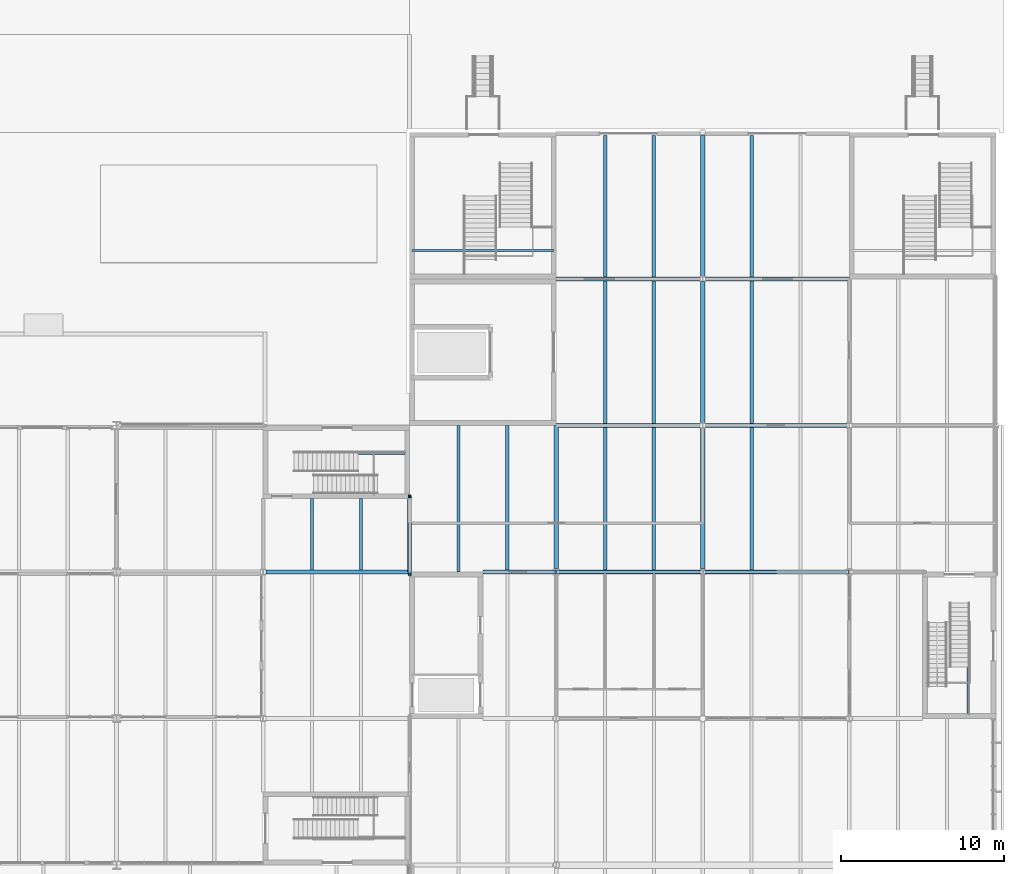
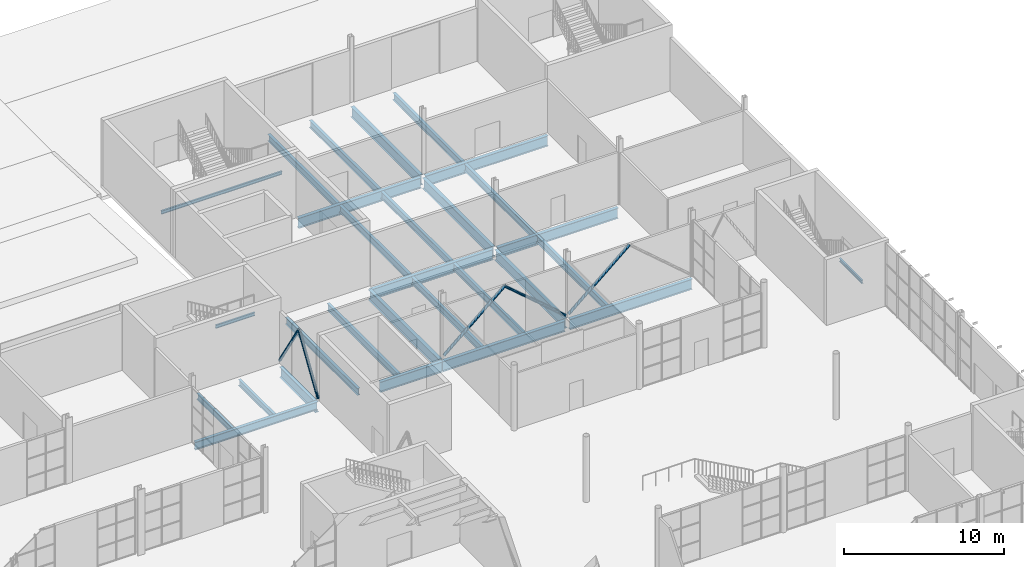
# One storey, part 26 of 63: 29 beams, 5 members.
"""IFC4 building model written with IfcOpenShell, lengths in metres."""

from ifc_helpers import new_model, si_unit, direction, frame, origin, origin_2d, place, context, subcontext, project, spatial, hollow_circle, i_section, extrude, material, material_profile, profile_set, type_object, element, save


model = new_model("IFC4")

# Units and contexts
model_context = context("Model", 3, precision=1e-05, world=origin(), true_north=direction((0.0, 1.0)))
body_context = subcontext(model_context, "Body", "Model", "MODEL_VIEW")
ifc_project = project(units=[si_unit("LENGTHUNIT", "METRE"), si_unit("AREAUNIT", "SQUARE_METRE"), si_unit("VOLUMEUNIT", "CUBIC_METRE"), si_unit("PLANEANGLEUNIT", "RADIAN"), si_unit("MASSUNIT", "GRAM", prefix="KILO")], contexts=[model_context])

# Site, building, storey
site_placement = place(None, origin())
site = spatial("IfcSite", under=ifc_project, at=site_placement, CompositionType="ELEMENT")
building_placement = place(site_placement, origin())
building = spatial("IfcBuilding", under=site, at=building_placement, Name="Halyard Row Museum", CompositionType="ELEMENT")
storey_placement = place(building_placement, origin())
storey = spatial("IfcBuildingStorey", under=building, at=storey_placement, Name="L00", CompositionType="ELEMENT", Elevation=0.0)

# Members
ifc_material_1 = material(Name="Steel Grade C350L0", Category="steel")
ifc_material_profile_1 = material_profile(ifc_material_1, hollow_circle(Radius=0.109619140625, WallThickness=0.00830078125, at=origin_2d()), Name="219.1x8.2CHS")
ifc_profile_set_1 = profile_set([ifc_material_profile_1], Name="Steel Grade C350L0")
member_type = type_object("IfcMemberType", Name="Brace 219.1x8.2CHS", PredefinedType="BRACE", material=ifc_profile_set_1)
for number, where, z_axis, x_axis, name in (
    (1, (72.0, 35.830078125, 0.109619140625), (0.0, 0.537636881011, 0.843176484596), (-1.0, 0.0, 0.0), "Brace L00 X72 36-40.5 A"),
    (2, (72.0, 40.669921875, 0.109619140625), (0.0, -0.537636881011, 0.843176484596), (1.0, 0.0, 0.0), "Brace L00 X72 36-40.5 B"),
):
    element("IfcMember", number, at=place(storey_placement, frame(where, z_axis=z_axis, x_axis=x_axis)), inside=storey, type_object=member_type, Name=name, PredefinedType="BRACE", context=body_context, shape_type="SweptSolid", body=[
        extrude(hollow_circle(Radius=0.109619140625, WallThickness=0.00830078125, at=origin_2d()), origin(), (0.0, 0.0, 1.0), 4.5009765625),
    ])
member_placement = place(storey_placement, frame((81.125, 36.0, 0.109619140625), z_axis=(0.757436630542, 0.0, 0.65290868482), x_axis=(0.0, 1.0, 0.0)))
element("IfcMember", 3, at=member_placement, inside=storey, type_object=member_type, Name="Brace L00 Y36 81-90 A", PredefinedType="BRACE", context=body_context, shape_type="SweptSolid", body=[
    extrude(hollow_circle(Radius=0.109619140625, WallThickness=0.00830078125, at=origin_2d()), origin(), (0.0, 0.0, 1.0), 5.776123046875),
])
for number, where, z_axis, x_axis, name in (
    (4, (89.89453125, 36.0, 0.109619140625), (-0.75889340579, 0.0, 0.651214863657), (0.0, -1.0, 0.0), "Brace L00 Y36 81-90 B"),
    (5, (90.10546875, 36.0, 0.109619140625), (0.75889340579, 0.0, 0.651214863657), (0.0, 1.0, 0.0), "Brace L00 Y36 90-99 A"),
):
    element("IfcMember", number, at=place(storey_placement, frame(where, z_axis=z_axis, x_axis=x_axis)), inside=storey, type_object=member_type, Name=name, PredefinedType="BRACE", context=body_context, shape_type="SweptSolid", body=[
        extrude(hollow_circle(Radius=0.109619140625, WallThickness=0.00830078125, at=origin_2d()), origin(), (0.0, 0.0, 1.0), 5.790771484375),
    ])

# Beams
ifc_material_2 = material(Name="Steel Grade 300", Category="steel")
ifc_material_profile_2 = material_profile(ifc_material_2, i_section(OverallWidth=0.22900390625, OverallDepth=0.611572265625, WebThickness=0.011962890625, FlangeThickness=0.01953125, FilletRadius=0.013916015625, at=origin_2d()), Name="610UB125")
ifc_profile_set_2 = profile_set([ifc_material_profile_2], Name="Steel Grade 300")
beam_type_1 = type_object("IfcBeamType", Name="Girder beam 610UB125", PredefinedType="BEAM", material=ifc_profile_set_2)
beam_1_placement = place(storey_placement, frame((63.175048828125, 36.0, -0.470703125), z_axis=(1.0, 0.0, 0.0), x_axis=(0.0, 1.0, 0.0)))
element("IfcBeam", 6, at=beam_1_placement, inside=storey, type_object=beam_type_1, Name="Beam L00-029", PredefinedType="BEAM", context=body_context, shape_type="SweptSolid", body=[
    extrude(i_section(OverallWidth=0.22900390625, OverallDepth=0.611572265625, WebThickness=0.011962890625, FlangeThickness=0.01953125, FilletRadius=0.013916015625, at=origin_2d()), origin(), (0.0, 0.0, 1.0), 8.824951171875),
])
ifc_material_3 = material(Name="Steel Grade 300", Category="steel")
ifc_material_profile_3 = material_profile(ifc_material_3, i_section(OverallWidth=0.25, OverallDepth=0.7919921875, WebThickness=0.010009765625, FlangeThickness=0.01611328125, at=origin_2d()), Name="800WB122")
ifc_profile_set_3 = profile_set([ifc_material_profile_3], Name="Steel Grade 300")
beam_type_2 = type_object("IfcBeamType", Name="Girder beam 800WB122 (lowered 85)", PredefinedType="BEAM", material=ifc_profile_set_3)
beam_2_placement = place(storey_placement, frame((76.5, 36.0, -0.64599609375), z_axis=(1.0, 0.0, 0.0), x_axis=(0.0, 1.0, 0.0)))
element("IfcBeam", 7, at=beam_2_placement, inside=storey, type_object=beam_type_2, Name="Beam L00-030", PredefinedType="BEAM", context=body_context, shape_type="SweptSolid", body=[
    extrude(i_section(OverallWidth=0.25, OverallDepth=0.7919921875, WebThickness=0.010009765625, FlangeThickness=0.01611328125, at=origin_2d()), origin(), (0.0, 0.0, 1.0), 4.487548828125),
])
for number, where, z_axis, x_axis, name in (
    (8, (81.012451171875, 36.0, -0.64599609375), (1.0, 0.0, 0.0), (0.0, 1.0, 0.0), "Beam L00-031"),
    (9, (90.175048828125, 36.0, -0.64599609375), (1.0, 0.0, 0.0), (0.0, 1.0, 0.0), "Beam L00-032"),
):
    element("IfcBeam", number, at=place(storey_placement, frame(where, z_axis=z_axis, x_axis=x_axis)), inside=storey, type_object=beam_type_2, Name=name, PredefinedType="BEAM", context=body_context, shape_type="SweptSolid", body=[
        extrude(i_section(OverallWidth=0.25, OverallDepth=0.7919921875, WebThickness=0.010009765625, FlangeThickness=0.01611328125, at=origin_2d()), origin(), (0.0, 0.0, 1.0), 8.8125),
    ])
beam_3_placement = place(storey_placement, frame((81.0, 45.0, -0.64599609375), z_axis=(1.0, 0.0, 0.0), x_axis=(0.0, 1.0, 0.0)))
element("IfcBeam", 10, at=beam_3_placement, inside=storey, type_object=beam_type_2, Name="Beam L00-034", PredefinedType="BEAM", context=body_context, shape_type="SweptSolid", body=[
    extrude(i_section(OverallWidth=0.25, OverallDepth=0.7919921875, WebThickness=0.010009765625, FlangeThickness=0.01611328125, at=origin_2d()), origin(), (0.0, 0.0, 1.0), 8.844482421875),
])
beam_4_placement = place(storey_placement, frame((90.155517578125, 45.0, -0.64599609375), z_axis=(1.0, 0.0, 0.0), x_axis=(0.0, 1.0, 0.0)))
element("IfcBeam", 11, at=beam_4_placement, inside=storey, type_object=beam_type_2, Name="Beam L00-035", PredefinedType="BEAM", context=body_context, shape_type="SweptSolid", body=[
    extrude(i_section(OverallWidth=0.25, OverallDepth=0.7919921875, WebThickness=0.010009765625, FlangeThickness=0.01611328125, at=origin_2d()), origin(), (0.0, 0.0, 1.0), 8.68896484375),
])
for number, where, z_axis, x_axis, name in (
    (12, (81.0, 54.0, -0.64599609375), (1.0, 0.0, 0.0), (0.0, 1.0, 0.0), "Beam L00-037"),
    (13, (90.154541015625, 54.0, -0.64599609375), (1.0, 0.0, 0.0), (0.0, 1.0, 0.0), "Beam L00-038"),
):
    element("IfcBeam", number, at=place(storey_placement, frame(where, z_axis=z_axis, x_axis=x_axis)), inside=storey, type_object=beam_type_2, Name=name, PredefinedType="BEAM", context=body_context, shape_type="SweptSolid", body=[
        extrude(i_section(OverallWidth=0.25, OverallDepth=0.7919921875, WebThickness=0.010009765625, FlangeThickness=0.01611328125, at=origin_2d()), origin(), (0.0, 0.0, 1.0), 8.845458984375),
    ])
beam_5_placement = place(storey_placement, frame((72.0, 36.0, -0.64599609375), z_axis=(0.0, 1.0, 0.0), x_axis=(-1.0, 0.0, 0.0)))
element("IfcBeam", 14, at=beam_5_placement, inside=storey, type_object=beam_type_2, Name="Beam L00-060", PredefinedType="BEAM", context=body_context, shape_type="SweptSolid", body=[
    extrude(i_section(OverallWidth=0.25, OverallDepth=0.7919921875, WebThickness=0.010009765625, FlangeThickness=0.01611328125, at=origin_2d()), origin(), (0.0, 0.0, 1.0), 4.5),
])
beam_6_placement = place(storey_placement, frame((81.0, 36.20703125, -0.64599609375), z_axis=(0.0, 1.0, 0.0), x_axis=(-1.0, 0.0, 0.0)))
element("IfcBeam", 15, at=beam_6_placement, inside=storey, type_object=beam_type_2, Name="Beam L00-065", PredefinedType="BEAM", context=body_context, shape_type="SweptSolid", body=[
    extrude(i_section(OverallWidth=0.25, OverallDepth=0.7919921875, WebThickness=0.010009765625, FlangeThickness=0.01611328125, at=origin_2d()), origin(), (0.0, 0.0, 1.0), 8.79296875),
])
beam_7_placement = place(storey_placement, frame((90.0, 36.16943359375, -0.64599609375), z_axis=(0.0, 1.0, 0.0), x_axis=(-1.0, 0.0, 0.0)))
element("IfcBeam", 16, at=beam_7_placement, inside=storey, type_object=beam_type_2, Name="Beam L00-070", PredefinedType="BEAM", context=body_context, shape_type="SweptSolid", body=[
    extrude(i_section(OverallWidth=0.25, OverallDepth=0.7919921875, WebThickness=0.010009765625, FlangeThickness=0.01611328125, at=origin_2d()), origin(), (0.0, 0.0, 1.0), 8.6669921875),
])
beam_8_placement = place(storey_placement, frame((90.0, 45.16357421875, -0.64599609375), z_axis=(0.0, 1.0, 0.0), x_axis=(-1.0, 0.0, 0.0)))
element("IfcBeam", 17, at=beam_8_placement, inside=storey, type_object=beam_type_2, Name="Beam L00-071", PredefinedType="BEAM", context=body_context, shape_type="SweptSolid", body=[
    extrude(i_section(OverallWidth=0.25, OverallDepth=0.7919921875, WebThickness=0.010009765625, FlangeThickness=0.01611328125, at=origin_2d()), origin(), (0.0, 0.0, 1.0), 8.676025390625),
])
beam_9_placement = place(storey_placement, frame((90.0, 54.160400390625, -0.64599609375), z_axis=(0.0, 1.0, 0.0), x_axis=(-1.0, 0.0, 0.0)))
element("IfcBeam", 18, at=beam_9_placement, inside=storey, type_object=beam_type_2, Name="Beam L00-072", PredefinedType="BEAM", context=body_context, shape_type="SweptSolid", body=[
    extrude(i_section(OverallWidth=0.25, OverallDepth=0.7919921875, WebThickness=0.010009765625, FlangeThickness=0.01611328125, at=origin_2d()), origin(), (0.0, 0.0, 1.0), 8.6396484375),
])
ifc_material_4 = material(Name="Steel Grade 300", Category="steel")
ifc_material_profile_4 = material_profile(ifc_material_4, i_section(OverallWidth=0.1240234375, OverallDepth=0.248046875, WebThickness=0.0048828125, FlangeThickness=0.008056640625, FilletRadius=0.011962890625, at=origin_2d()), Name="250UB25.7")
ifc_profile_set_4 = profile_set([ifc_material_profile_4], Name="Steel Grade 300")
beam_type_3 = type_object("IfcBeamType", Name="Landing trimmer 250UB25.7", PredefinedType="BEAM", material=ifc_profile_set_4)
for number, where, z_axis, x_axis, name in (
    (19, (71.702880859375, 43.278076171875, 2.176025390625), (-1.0, 0.0, 0.0), (0.0, -1.0, 0.0), "Landing ledger K1B L00 1"),
    (20, (106.278076171875, 27.297119140625, 2.176025390625), (0.0, 1.0, 0.0), (-1.0, 0.0, 0.0), "Landing ledger K2C L00 1"),
):
    element("IfcBeam", number, at=place(storey_placement, frame(where, z_axis=z_axis, x_axis=x_axis)), inside=storey, type_object=beam_type_3, Name=name, PredefinedType="BEAM", context=body_context, shape_type="SweptSolid", body=[
        extrude(i_section(OverallWidth=0.1240234375, OverallDepth=0.248046875, WebThickness=0.0048828125, FlangeThickness=0.008056640625, FilletRadius=0.011962890625, at=origin_2d()), origin(), (0.0, 0.0, 1.0), 2.832763671875),
    ])
beam_10_placement = place(storey_placement, frame((80.85009765625, 55.739990234375, 2.176025390625), z_axis=(-1.0, 0.0, 0.0), x_axis=(0.0, -1.0, 0.0)))
element("IfcBeam", 21, at=beam_10_placement, inside=storey, type_object=beam_type_3, Name="Landing trimmer K5A L00 1", PredefinedType="BEAM", context=body_context, shape_type="SweptSolid", body=[
    extrude(i_section(OverallWidth=0.1240234375, OverallDepth=0.248046875, WebThickness=0.0048828125, FlangeThickness=0.008056640625, FilletRadius=0.011962890625, at=origin_2d()), origin(), (0.0, 0.0, 1.0), 8.7001953125),
])
ifc_material_5 = material(Name="Steel Grade 300", Category="steel")
ifc_material_profile_5 = material_profile(ifc_material_5, i_section(OverallWidth=0.18994140625, OverallDepth=0.453857421875, WebThickness=0.008544921875, FlangeThickness=0.0126953125, FilletRadius=0.011474609375, at=origin_2d()), Name="460UB67.1")
ifc_profile_set_5 = profile_set([ifc_material_profile_5], Name="Steel Grade 300")
beam_type_4 = type_object("IfcBeamType", Name="Secondary beam 460UB67.1", PredefinedType="BEAM", material=ifc_profile_set_5)
for number, where, z_axis, x_axis, name in (
    (22, (66.0, 36.114501953125, -0.391845703125), (0.0, 1.0, 0.0), (-1.0, 0.0, 0.0), "Beam L00-153"),
    (23, (69.0, 36.114501953125, -0.391845703125), (0.0, 1.0, 0.0), (-1.0, 0.0, 0.0), "Beam L00-154"),
):
    element("IfcBeam", number, at=place(storey_placement, frame(where, z_axis=z_axis, x_axis=x_axis)), inside=storey, type_object=beam_type_4, Name=name, PredefinedType="BEAM", context=body_context, shape_type="SweptSolid", body=[
        extrude(i_section(OverallWidth=0.18994140625, OverallDepth=0.453857421875, WebThickness=0.008544921875, FlangeThickness=0.0126953125, FilletRadius=0.011474609375, at=origin_2d()), origin(), (0.0, 0.0, 1.0), 4.385498046875),
    ])
ifc_material_6 = material(Name="Steel Grade 300", Category="steel")
ifc_material_profile_6 = material_profile(ifc_material_6, i_section(OverallWidth=0.208984375, OverallDepth=0.5283203125, WebThickness=0.009521484375, FlangeThickness=0.01318359375, FilletRadius=0.013916015625, at=origin_2d()), Name="530UB82.0")
ifc_profile_set_6 = profile_set([ifc_material_profile_6], Name="Steel Grade 300")
beam_type_5 = type_object("IfcBeamType", Name="Secondary beam 530UB82.0 (lowered 85)", PredefinedType="BEAM", material=ifc_profile_set_6)
beam_11_placement = place(storey_placement, frame((75.0, 36.0, -0.51416015625), z_axis=(0.0, 1.0, 0.0), x_axis=(-1.0, 0.0, 0.0)))
element("IfcBeam", 24, at=beam_11_placement, inside=storey, type_object=beam_type_5, Name="Beam L00-141", PredefinedType="BEAM", context=body_context, shape_type="SweptSolid", body=[
    extrude(i_section(OverallWidth=0.208984375, OverallDepth=0.5283203125, WebThickness=0.009521484375, FlangeThickness=0.01318359375, FilletRadius=0.013916015625, at=origin_2d()), origin(), (0.0, 0.0, 1.0), 9.0),
])
beam_12_placement = place(storey_placement, frame((78.0, 36.125, -0.51416015625), z_axis=(0.0, 1.0, 0.0), x_axis=(-1.0, 0.0, 0.0)))
element("IfcBeam", 25, at=beam_12_placement, inside=storey, type_object=beam_type_5, Name="Beam L00-155", PredefinedType="BEAM", context=body_context, shape_type="SweptSolid", body=[
    extrude(i_section(OverallWidth=0.208984375, OverallDepth=0.5283203125, WebThickness=0.009521484375, FlangeThickness=0.01318359375, FilletRadius=0.013916015625, at=origin_2d()), origin(), (0.0, 0.0, 1.0), 8.875),
])
for number, where, z_axis, x_axis, name in (
    (26, (84.0, 36.125, -0.51416015625), (0.0, 1.0, 0.0), (-1.0, 0.0, 0.0), "Beam L00-156"),
    (27, (87.0, 36.125, -0.51416015625), (0.0, 1.0, 0.0), (-1.0, 0.0, 0.0), "Beam L00-157"),
    (28, (93.0, 36.125, -0.51416015625), (0.0, 1.0, 0.0), (-1.0, 0.0, 0.0), "Beam L00-158"),
    (29, (84.0, 45.125, -0.51416015625), (0.0, 1.0, 0.0), (-1.0, 0.0, 0.0), "Beam L00-161"),
    (30, (87.0, 45.125, -0.51416015625), (0.0, 1.0, 0.0), (-1.0, 0.0, 0.0), "Beam L00-162"),
    (31, (93.0, 45.125, -0.51416015625), (0.0, 1.0, 0.0), (-1.0, 0.0, 0.0), "Beam L00-163"),
):
    element("IfcBeam", number, at=place(storey_placement, frame(where, z_axis=z_axis, x_axis=x_axis)), inside=storey, type_object=beam_type_5, Name=name, PredefinedType="BEAM", context=body_context, shape_type="SweptSolid", body=[
        extrude(i_section(OverallWidth=0.208984375, OverallDepth=0.5283203125, WebThickness=0.009521484375, FlangeThickness=0.01318359375, FilletRadius=0.013916015625, at=origin_2d()), origin(), (0.0, 0.0, 1.0), 8.75),
    ])
for number, where, z_axis, x_axis, name in (
    (32, (84.0, 54.125, -0.51416015625), (0.0, 1.0, 0.0), (-1.0, 0.0, 0.0), "Beam L00-167"),
    (33, (87.0, 54.125, -0.51416015625), (0.0, 1.0, 0.0), (-1.0, 0.0, 0.0), "Beam L00-168"),
    (34, (93.0, 54.125, -0.51416015625), (0.0, 1.0, 0.0), (-1.0, 0.0, 0.0), "Beam L00-169"),
):
    element("IfcBeam", number, at=place(storey_placement, frame(where, z_axis=z_axis, x_axis=x_axis)), inside=storey, type_object=beam_type_5, Name=name, PredefinedType="BEAM", context=body_context, shape_type="SweptSolid", body=[
        extrude(i_section(OverallWidth=0.208984375, OverallDepth=0.5283203125, WebThickness=0.009521484375, FlangeThickness=0.01318359375, FilletRadius=0.013916015625, at=origin_2d()), origin(), (0.0, 0.0, 1.0), 8.675048828125),
    ])

save(model, "model.ifc")
